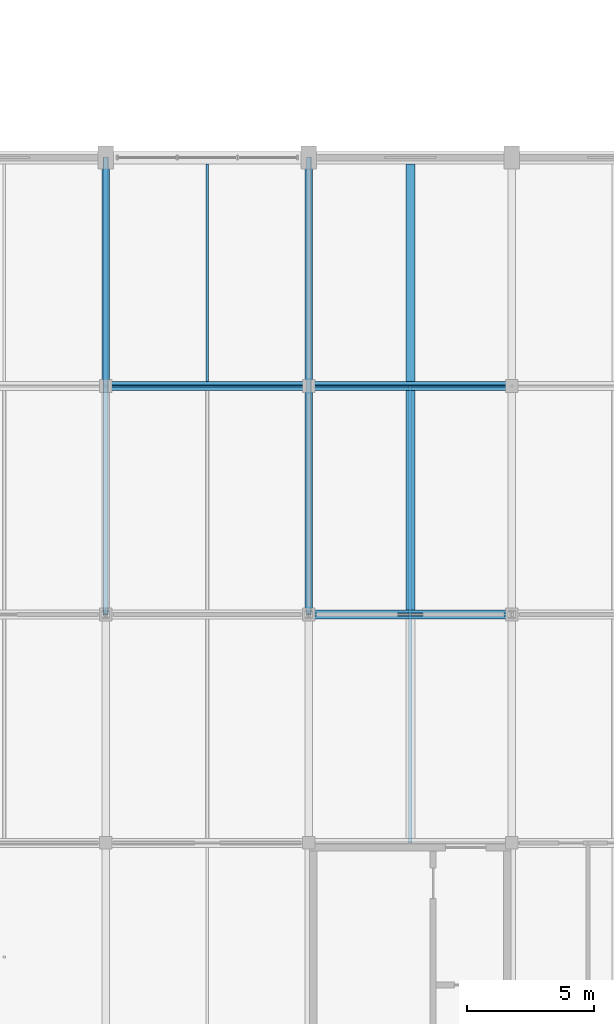
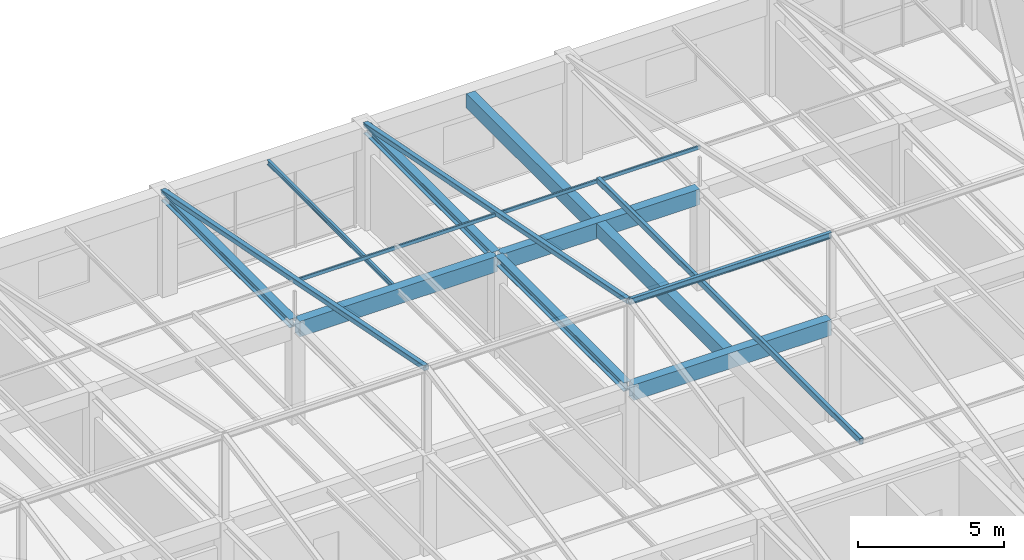
# One storey, part 17 of 65: 10 beams, 5 members.
"""IFC4 building model written with IfcOpenShell, lengths in metres."""

from ifc_helpers import new_model, si_unit, direction, frame, origin, origin_2d, place, context, subcontext, project, spatial, rectangle, hollow_rectangle, i_section, extrude, material, material_profile, profile_set, type_object, element, save


model = new_model("IFC4")

# Units and contexts
model_context = context("Model", 3, precision=1e-05, world=origin(), true_north=direction((0.0, 1.0)))
body_context = subcontext(model_context, "Body", "Model", "MODEL_VIEW")
ifc_project = project(units=[si_unit("LENGTHUNIT", "METRE"), si_unit("AREAUNIT", "SQUARE_METRE"), si_unit("VOLUMEUNIT", "CUBIC_METRE"), si_unit("PLANEANGLEUNIT", "RADIAN"), si_unit("MASSUNIT", "GRAM", prefix="KILO")], contexts=[model_context])

# Site, building, storey
site_placement = place(None, origin())
site = spatial("IfcSite", under=ifc_project, at=site_placement, CompositionType="ELEMENT")
building_placement = place(site_placement, origin())
building = spatial("IfcBuilding", under=site, at=building_placement, Name="Varnabhumi Central Station", CompositionType="ELEMENT")
storey_placement = place(building_placement, frame((0.0, 0.0, 24.60009765625)))
storey = spatial("IfcBuildingStorey", under=building, at=storey_placement, Name="L05", CompositionType="ELEMENT", Elevation=24.60009765625)

# Beams
ifc_material_1 = material(Name="Structural steel E350", Category="steel")
ifc_material_profile_1 = material_profile(ifc_material_1, i_section(OverallWidth=0.125, OverallDepth=0.25, WebThickness=0.0068359375, FlangeThickness=0.012451171875, FilletRadius=0.012939453125, at=origin_2d()), Name="Structural steel E350", Category="steel")
ifc_profile_set_1 = profile_set([ifc_material_profile_1], Name="Structural steel E350")
beam_type_1 = type_object("IfcBeamType", Name="BM-PUR-ISMB250", PredefinedType="JOIST", material=ifc_profile_set_1)
beam_1_placement = place(storey_placement, frame((88.0, 18.0, 7.6298828125), z_axis=(1.0, 0.0, 0.0), x_axis=(0.0, 1.0, 0.0)))
element("IfcBeam", 1, at=beam_1_placement, inside=storey, type_object=beam_type_1, Name="Mission Roof Ridge Beam SW6E-8", PredefinedType="JOIST", context=body_context, shape_type="SweptSolid", body=[
    extrude(i_section(OverallWidth=0.125, OverallDepth=0.25, WebThickness=0.0068359375, FlangeThickness=0.012451171875, FilletRadius=0.012939453125, at=origin_2d()), origin(), (0.0, 0.0, 1.0), 8.0),
])
ifc_material_2 = material(Name="Concrete M40", Category="concrete")
ifc_material_profile_2 = material_profile(ifc_material_2, rectangle(XDim=0.35009765625, YDim=0.64990234375, at=origin_2d()), Name="Concrete M40", Category="concrete")
ifc_profile_set_2 = profile_set([ifc_material_profile_2], Name="Concrete M40")
beam_type_2 = type_object("IfcBeamType", Name="BM-RC-350x650", PredefinedType="BEAM", material=ifc_profile_set_2)
for number, where, z_axis, x_axis, name in (
    (2, (80.10009765625, 27.0, 3.875), (1.0, 0.0, 0.0), (0.0, 1.0, 0.0), "Beam L05-D:11-12"),
    (3, (88.10009765625, 18.0, 3.875), (1.0, 0.0, 0.0), (0.0, 1.0, 0.0), "Beam L05-C:12-13"),
    (4, (88.10009765625, 27.0, 3.875), (1.0, 0.0, 0.0), (0.0, 1.0, 0.0), "Beam L05-D:12-13"),
):
    element("IfcBeam", number, at=place(storey_placement, frame(where, z_axis=z_axis, x_axis=x_axis)), inside=storey, type_object=beam_type_2, Name=name, PredefinedType="BEAM", context=body_context, shape_type="SweptSolid", body=[
        extrude(rectangle(XDim=0.35009765625, YDim=0.64990234375, at=origin_2d()), origin(), (0.0, 0.0, 1.0), 7.7998046875),
    ])
ifc_material_profile_3 = material_profile(ifc_material_2, rectangle(XDim=0.35009765625, YDim=0.60009765625, at=origin_2d()), Name="Concrete M40", Category="concrete")
ifc_profile_set_3 = profile_set([ifc_material_profile_3], Name="Concrete M40")
beam_type_3 = type_object("IfcBeamType", Name="BM-RC-600x350", PredefinedType="JOIST", material=ifc_profile_set_3)
beam_2_placement = place(storey_placement, frame((92.0, 18.175048828125, 3.89990234375), z_axis=(0.0, 1.0, 0.0), x_axis=(-1.0, 0.0, 0.0)))
element("IfcBeam", 5, at=beam_2_placement, inside=storey, type_object=beam_type_3, Name="Secondary Joist L05-12/13:C-D", PredefinedType="JOIST", context=body_context, shape_type="SweptSolid", body=[
    extrude(rectangle(XDim=0.35009765625, YDim=0.60009765625, at=origin_2d()), origin(), (0.0, 0.0, 1.0), 8.64990234375),
])
beam_3_placement = place(storey_placement, frame((92.0, 27.175048828125, 3.89990234375), z_axis=(0.0, 1.0, 0.0), x_axis=(-1.0, 0.0, 0.0)))
element("IfcBeam", 6, at=beam_3_placement, inside=storey, type_object=beam_type_3, Name="Secondary Joist L05-12/13:D-E", PredefinedType="JOIST", context=body_context, shape_type="SweptSolid", body=[
    extrude(rectangle(XDim=0.35009765625, YDim=0.60009765625, at=origin_2d()), origin(), (0.0, 0.0, 1.0), 8.574951171875),
])
ifc_material_profile_4 = material_profile(ifc_material_1, i_section(OverallWidth=0.10009765625, OverallDepth=0.199951171875, WebThickness=0.005615234375, FlangeThickness=0.0107421875, FilletRadius=0.010986328125, at=origin_2d()), Name="Structural steel E350", Category="steel")
ifc_profile_set_4 = profile_set([ifc_material_profile_4], Name="Structural steel E350")
beam_type_4 = type_object("IfcBeamType", Name="BM-STL-ISMB200", PredefinedType="JOIST", material=ifc_profile_set_4)
beam_4_placement = place(storey_placement, frame((84.0, 27.175048828125, 4.099853515625), z_axis=(0.0, 1.0, 0.0), x_axis=(-1.0, 0.0, 0.0)))
element("IfcBeam", 7, at=beam_4_placement, inside=storey, type_object=beam_type_4, Name="Secondary Joist L05-11/12:D-E", PredefinedType="JOIST", context=body_context, shape_type="SweptSolid", body=[
    extrude(i_section(OverallWidth=0.10009765625, OverallDepth=0.199951171875, WebThickness=0.005615234375, FlangeThickness=0.0107421875, FilletRadius=0.010986328125, at=origin_2d()), origin(), (0.0, 0.0, 1.0), 8.574951171875),
])
ifc_material_profile_5 = material_profile(ifc_material_1, i_section(OverallWidth=0.300048828125, OverallDepth=0.360107421875, WebThickness=0.012451171875, FlangeThickness=0.0224609375, FilletRadius=0.027099609375, at=origin_2d()), Name="Structural steel E350", Category="steel")
ifc_profile_set_5 = profile_set([ifc_material_profile_5], Name="Structural steel E350")
beam_type_5 = type_object("IfcBeamType", Name="BM-STL-WPB360", PredefinedType="BEAM", material=ifc_profile_set_5)
for number, where, z_axis, x_axis, name in (
    (8, (88.0, 18.10009765625, 4.02001953125), (0.0, 1.0, 0.0), (-1.0, 0.0, 0.0), "Beam L05-12:C-D"),
    (9, (80.0, 27.10009765625, 4.02001953125), (0.0, 1.0, 0.0), (-1.0, 0.0, 0.0), "Beam L05-11:D-E"),
    (10, (88.0, 27.10009765625, 4.02001953125), (0.0, 1.0, 0.0), (-1.0, 0.0, 0.0), "Beam L05-12:D-E"),
):
    element("IfcBeam", number, at=place(storey_placement, frame(where, z_axis=z_axis, x_axis=x_axis)), inside=storey, type_object=beam_type_5, Name=name, PredefinedType="BEAM", context=body_context, shape_type="SweptSolid", body=[
        extrude(i_section(OverallWidth=0.300048828125, OverallDepth=0.360107421875, WebThickness=0.012451171875, FlangeThickness=0.0224609375, FilletRadius=0.027099609375, at=origin_2d()), origin(), (0.0, 0.0, 1.0), 8.7998046875),
    ])

# Members
ifc_material_profile_6 = material_profile(ifc_material_1, hollow_rectangle(XDim=0.14990234375, YDim=0.25, WallThickness=0.010009765625, InnerFilletRadius=0.010009765625, OuterFilletRadius=0.02001953125, at=origin_2d()), Name="Structural steel E350", Category="steel")
ifc_profile_set_6 = profile_set([ifc_material_profile_6], Name="Structural steel E350")
member_type_1 = type_object("IfcMemberType", Name="MBR-COLLAR-RHS", PredefinedType="COLLAR", material=ifc_profile_set_6)
member_placement = place(storey_placement, frame((92.0, 9.0, 5.844970703125), z_axis=(0.0, 1.0, 0.0), x_axis=(-1.0, 0.0, 0.0)))
element("IfcMember", 11, at=member_placement, inside=storey, type_object=member_type_1, Name="Mission Roof Collar Tie SW6E-8", PredefinedType="COLLAR", context=body_context, shape_type="SweptSolid", body=[
    extrude(hollow_rectangle(XDim=0.14990234375, YDim=0.25, WallThickness=0.010009765625, InnerFilletRadius=0.010009765625, OuterFilletRadius=0.02001953125, at=origin_2d()), origin(), (0.0, 0.0, 1.0), 18.0),
])
ifc_material_profile_7 = material_profile(ifc_material_1, hollow_rectangle(XDim=0.074951171875, YDim=0.14990234375, WallThickness=0.006103515625, InnerFilletRadius=0.006103515625, OuterFilletRadius=0.011962890625, at=origin_2d()), Name="Structural steel E350", Category="steel")
ifc_profile_set_7 = profile_set([ifc_material_profile_7], Name="Structural steel E350")
member_type_2 = type_object("IfcMemberType", Name="MBR-PURL-RHS150", PredefinedType="PURLIN", material=ifc_profile_set_7)
for number, where, z_axis, x_axis, name in (
    (12, (80.0, 27.0, 5.824951171875), (1.0, 0.0, 0.0), (0.0, 1.0, 0.0), "Mission Roof Purlin SW6E-7-N"),
    (13, (88.0, 27.0, 5.824951171875), (1.0, 0.0, 0.0), (0.0, 1.0, 0.0), "Mission Roof Purlin SW6E-8-N"),
):
    element("IfcMember", number, at=place(storey_placement, frame(where, z_axis=z_axis, x_axis=x_axis)), inside=storey, type_object=member_type_2, Name=name, PredefinedType="PURLIN", context=body_context, shape_type="SweptSolid", body=[
        extrude(hollow_rectangle(XDim=0.074951171875, YDim=0.14990234375, WallThickness=0.006103515625, InnerFilletRadius=0.006103515625, OuterFilletRadius=0.011962890625, at=origin_2d()), origin(), (0.0, 0.0, 1.0), 8.0),
    ])
ifc_material_profile_8 = material_profile(ifc_material_1, hollow_rectangle(XDim=0.199951171875, YDim=0.199951171875, WallThickness=0.010009765625, InnerFilletRadius=0.010009765625, OuterFilletRadius=0.02001953125, at=origin_2d()), Name="Structural steel E350", Category="steel")
ifc_profile_set_8 = profile_set([ifc_material_profile_8], Name="Structural steel E350")
member_type_3 = type_object("IfcMemberType", Name="MBR-RAFT-SHS200", PredefinedType="RAFTER", material=ifc_profile_set_8)
for number, where, z_axis, x_axis, name in (
    (14, (80.0, 36.0, 4.10986328125), (0.0, -0.981100761594, 0.193497533832), (1.0, 0.0, 0.0), "Mission Roof North Rafter SW6E-7"),
    (15, (88.0, 36.0, 4.10986328125), (0.0, -0.981100761594, 0.193497533832), (1.0, 0.0, 0.0), "Mission Roof North Rafter SW6E-8"),
):
    element("IfcMember", number, at=place(storey_placement, frame(where, z_axis=z_axis, x_axis=x_axis)), inside=storey, type_object=member_type_3, Name=name, PredefinedType="RAFTER", context=body_context, shape_type="SweptSolid", body=[
        extrude(hollow_rectangle(XDim=0.199951171875, YDim=0.199951171875, WallThickness=0.010009765625, InnerFilletRadius=0.010009765625, OuterFilletRadius=0.02001953125, at=origin_2d()), origin(), (0.0, 0.0, 1.0), 18.3466796875),
    ])

save(model, "model.ifc")
